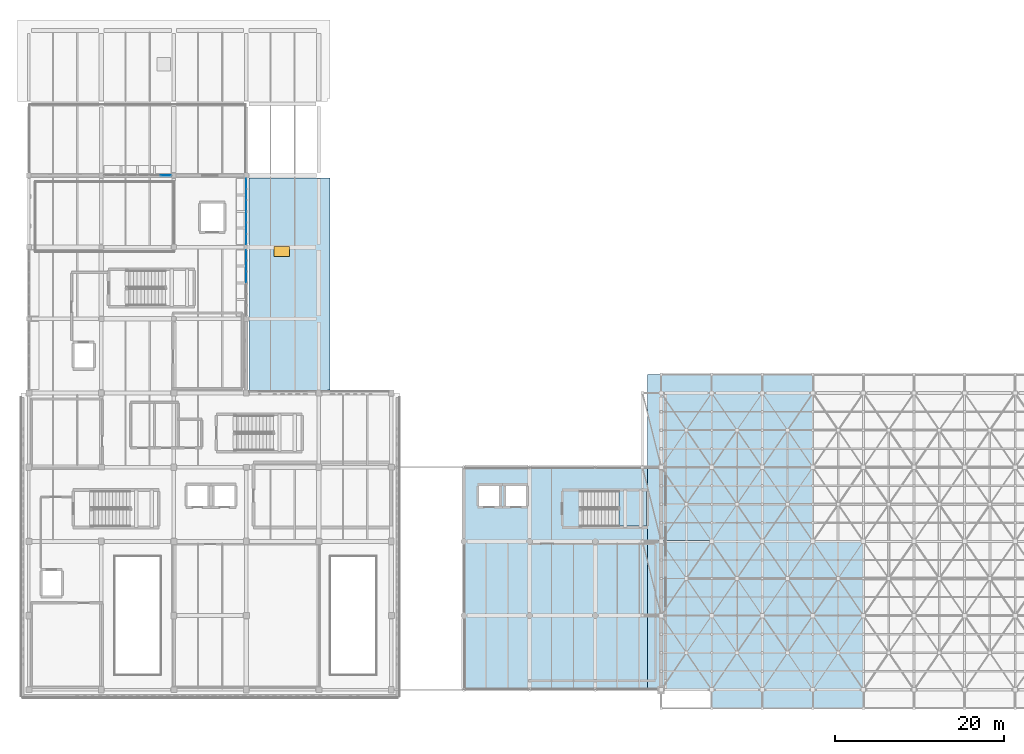
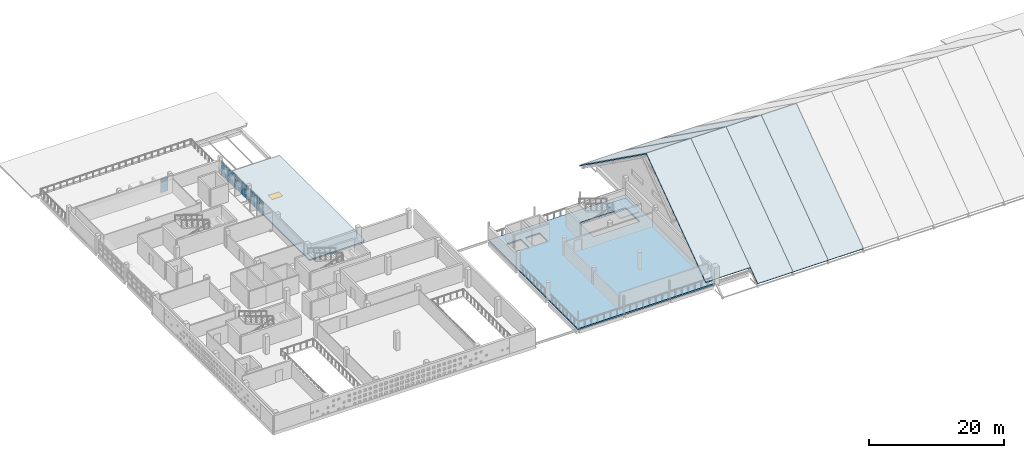
# One storey, part 35 of 55: 30 plates, 10 slabs, 1 window, 1 opening, 5 elements without a shape of their own.
"""IFC4 building model written with IfcOpenShell, lengths in metres."""

from ifc_helpers import new_model, si_unit, direction, frame, origin, origin_2d, place, context, subcontext, project, spatial, polyline, rectangle, outline, extrude, material, layer, layer_set, type_object, element, fill, aggregate, save


model = new_model("IFC4")

# Units and contexts
model_context = context("Model", 3, precision=1e-05, world=origin(), true_north=direction((0.0, 1.0)))
body_context = subcontext(model_context, "Body", "Model", "MODEL_VIEW")
ifc_project = project(units=[si_unit("LENGTHUNIT", "METRE"), si_unit("AREAUNIT", "SQUARE_METRE"), si_unit("VOLUMEUNIT", "CUBIC_METRE"), si_unit("PLANEANGLEUNIT", "RADIAN"), si_unit("MASSUNIT", "GRAM", prefix="KILO")], contexts=[model_context])

# Site, building, storey
site_placement = place(None, origin())
site = spatial("IfcSite", under=ifc_project, at=site_placement, CompositionType="ELEMENT")
building_placement = place(site_placement, origin())
building = spatial("IfcBuilding", under=site, at=building_placement, Name="Varnakota Cinema and Media Centre", CompositionType="ELEMENT")
storey_placement = place(building_placement, frame((0.0, 0.0, 15.60009765625)))
storey = spatial("IfcBuildingStorey", under=building, at=storey_placement, Name="L04", CompositionType="ELEMENT", Elevation=15.60009765625)

# Curtain wall, plates
ifc_material_1 = material(Name="Thermally broken anodised aluminium AW-6063", Category="aluminium")
curtain_wall_type_1 = type_object("IfcCurtainWallType", Name="CW-STD-394x258", PredefinedType="USERDEFINED", material=ifc_material_1)
curtain_wall_1_placement = place(storey_placement, origin())
curtain_wall_1 = element("IfcCurtainWall", 1, at=curtain_wall_1_placement, inside=storey, type_object=curtain_wall_type_1, Name="L04 curtain wall CW-L04-V5-E-02-2", ObjectType="UNITISED CURTAIN WALL", PredefinedType="USERDEFINED")
ifc_material_2 = material(Name="Laminated solar-control double glazing", Category="glass")
ifc_layer_1 = layer(ifc_material_2, 0.028076171875)
ifc_layer_set_1 = layer_set([ifc_layer_1], Name="Laminated solar-control double glazing")
plate_type = type_object("IfcPlateType", Name="CWP-DGU-28", PredefinedType="CURTAIN_PANEL", material=ifc_layer_set_1)
plate_1_placement = place(storey_placement, frame((25.800048828125, 48.955810546875, 0.06494140625), z_axis=(0.0, 0.0, 1.0), x_axis=(0.0, 1.0, 0.0)))
plate_1 = element("IfcPlate", 2, at=plate_1_placement, type_object=plate_type, Name="CW30 panel 1.1", PredefinedType="CURTAIN_PANEL", context=body_context, shape_type="SweptSolid", body=[
    extrude(rectangle(XDim=1.216552734375, YDim=0.028076171875, at=origin_2d()), origin(), (0.0, 0.0, 1.0), 0.98828125),
])
plate_2_placement = place(storey_placement, frame((25.800048828125, 48.955810546875, 1.1181640625), z_axis=(0.0, 0.0, 1.0), x_axis=(0.0, 1.0, 0.0)))
plate_2 = element("IfcPlate", 3, at=plate_2_placement, type_object=plate_type, Name="CW30 panel 1.2", PredefinedType="CURTAIN_PANEL", context=body_context, shape_type="SweptSolid", body=[
    extrude(rectangle(XDim=1.216552734375, YDim=0.028076171875, at=origin_2d()), origin(), (0.0, 0.0, 1.0), 0.865478515625),
])
plate_3_placement = place(storey_placement, frame((25.800048828125, 48.955810546875, 2.048828125), z_axis=(0.0, 0.0, 1.0), x_axis=(0.0, 1.0, 0.0)))
plate_3 = element("IfcPlate", 4, at=plate_3_placement, type_object=plate_type, Name="CW30 panel 1.3", PredefinedType="CURTAIN_PANEL", context=body_context, shape_type="SweptSolid", body=[
    extrude(rectangle(XDim=1.216552734375, YDim=0.028076171875, at=origin_2d()), origin(), (0.0, 0.0, 1.0), 0.47119140625),
])
plate_4_placement = place(storey_placement, frame((25.800048828125, 50.253662109375, 0.06494140625), z_axis=(0.0, 0.0, 1.0), x_axis=(0.0, 1.0, 0.0)))
plate_4 = element("IfcPlate", 5, at=plate_4_placement, type_object=plate_type, Name="CW30 panel 2.1", PredefinedType="CURTAIN_PANEL", context=body_context, shape_type="SweptSolid", body=[
    extrude(rectangle(XDim=1.249267578125, YDim=0.028076171875, at=origin_2d()), origin(), (0.0, 0.0, 1.0), 0.98828125),
])
plate_5_placement = place(storey_placement, frame((25.800048828125, 50.253662109375, 1.1181640625), z_axis=(0.0, 0.0, 1.0), x_axis=(0.0, 1.0, 0.0)))
plate_5 = element("IfcPlate", 6, at=plate_5_placement, type_object=plate_type, Name="CW30 panel 2.2", PredefinedType="CURTAIN_PANEL", context=body_context, shape_type="SweptSolid", body=[
    extrude(rectangle(XDim=1.249267578125, YDim=0.028076171875, at=origin_2d()), origin(), (0.0, 0.0, 1.0), 0.865478515625),
])
plate_6_placement = place(storey_placement, frame((25.800048828125, 50.253662109375, 2.048828125), z_axis=(0.0, 0.0, 1.0), x_axis=(0.0, 1.0, 0.0)))
plate_6 = element("IfcPlate", 7, at=plate_6_placement, type_object=plate_type, Name="CW30 panel 2.3", PredefinedType="CURTAIN_PANEL", context=body_context, shape_type="SweptSolid", body=[
    extrude(rectangle(XDim=1.249267578125, YDim=0.028076171875, at=origin_2d()), origin(), (0.0, 0.0, 1.0), 0.47119140625),
])
plate_7_placement = place(storey_placement, frame((25.800048828125, 51.5517578125, 0.06494140625), z_axis=(0.0, 0.0, 1.0), x_axis=(0.0, 1.0, 0.0)))
plate_7 = element("IfcPlate", 8, at=plate_7_placement, type_object=plate_type, Name="CW30 panel 3.1", PredefinedType="CURTAIN_PANEL", context=body_context, shape_type="SweptSolid", body=[
    extrude(rectangle(XDim=1.216552734375, YDim=0.028076171875, at=origin_2d()), origin(), (0.0, 0.0, 1.0), 0.98828125),
])
plate_8_placement = place(storey_placement, frame((25.800048828125, 51.5517578125, 1.1181640625), z_axis=(0.0, 0.0, 1.0), x_axis=(0.0, 1.0, 0.0)))
plate_8 = element("IfcPlate", 9, at=plate_8_placement, type_object=plate_type, Name="CW30 panel 3.2", PredefinedType="CURTAIN_PANEL", context=body_context, shape_type="SweptSolid", body=[
    extrude(rectangle(XDim=1.216552734375, YDim=0.028076171875, at=origin_2d()), origin(), (0.0, 0.0, 1.0), 0.865478515625),
])
plate_9_placement = place(storey_placement, frame((25.800048828125, 51.5517578125, 2.048828125), z_axis=(0.0, 0.0, 1.0), x_axis=(0.0, 1.0, 0.0)))
plate_9 = element("IfcPlate", 10, at=plate_9_placement, type_object=plate_type, Name="CW30 panel 3.3", PredefinedType="CURTAIN_PANEL", context=body_context, shape_type="SweptSolid", body=[
    extrude(rectangle(XDim=1.216552734375, YDim=0.028076171875, at=origin_2d()), origin(), (0.0, 0.0, 1.0), 0.47119140625),
])
aggregate(curtain_wall_1, [plate_1, plate_2, plate_3, plate_4, plate_5, plate_6, plate_7, plate_8, plate_9])

ifc_material_3 = material(Name="Thermally broken anodised aluminium AW-6063", Category="aluminium")
curtain_wall_type_2 = type_object("IfcCurtainWallType", Name="CW-STD-394x254", PredefinedType="USERDEFINED", material=ifc_material_3)
curtain_wall_2_placement = place(storey_placement, origin())
curtain_wall_2 = element("IfcCurtainWall", 11, at=curtain_wall_2_placement, inside=storey, type_object=curtain_wall_type_2, Name="L04 curtain wall CW-L04-V5-E-03-1", ObjectType="UNITISED CURTAIN WALL", PredefinedType="USERDEFINED")
plate_10_placement = place(storey_placement, frame((25.800048828125, 53.4482421875, 0.06494140625), z_axis=(0.0, 0.0, 1.0), x_axis=(0.0, 1.0, 0.0)))
plate_10 = element("IfcPlate", 12, at=plate_10_placement, type_object=plate_type, Name="CW48 panel 1.1", PredefinedType="CURTAIN_PANEL", context=body_context, shape_type="SweptSolid", body=[
    extrude(rectangle(XDim=1.216552734375, YDim=0.028076171875, at=origin_2d()), origin(), (0.0, 0.0, 1.0), 0.96728515625),
])
plate_11_placement = place(storey_placement, frame((25.800048828125, 53.4482421875, 1.09716796875), z_axis=(0.0, 0.0, 1.0), x_axis=(0.0, 1.0, 0.0)))
plate_11 = element("IfcPlate", 13, at=plate_11_placement, type_object=plate_type, Name="CW48 panel 1.2", PredefinedType="CURTAIN_PANEL", context=body_context, shape_type="SweptSolid", body=[
    extrude(rectangle(XDim=1.216552734375, YDim=0.028076171875, at=origin_2d()), origin(), (0.0, 0.0, 1.0), 0.84765625),
])
plate_12_placement = place(storey_placement, frame((25.800048828125, 53.4482421875, 2.009765625), z_axis=(0.0, 0.0, 1.0), x_axis=(0.0, 1.0, 0.0)))
plate_12 = element("IfcPlate", 14, at=plate_12_placement, type_object=plate_type, Name="CW48 panel 1.3", PredefinedType="CURTAIN_PANEL", context=body_context, shape_type="SweptSolid", body=[
    extrude(rectangle(XDim=1.216552734375, YDim=0.028076171875, at=origin_2d()), origin(), (0.0, 0.0, 1.0), 0.460205078125),
])
plate_13_placement = place(storey_placement, frame((25.800048828125, 54.746337890625, 0.06494140625), z_axis=(0.0, 0.0, 1.0), x_axis=(0.0, 1.0, 0.0)))
plate_13 = element("IfcPlate", 15, at=plate_13_placement, type_object=plate_type, Name="CW48 panel 2.1", PredefinedType="CURTAIN_PANEL", context=body_context, shape_type="SweptSolid", body=[
    extrude(rectangle(XDim=1.249267578125, YDim=0.028076171875, at=origin_2d()), origin(), (0.0, 0.0, 1.0), 0.96728515625),
])
plate_14_placement = place(storey_placement, frame((25.800048828125, 54.746337890625, 1.09716796875), z_axis=(0.0, 0.0, 1.0), x_axis=(0.0, 1.0, 0.0)))
plate_14 = element("IfcPlate", 16, at=plate_14_placement, type_object=plate_type, Name="CW48 panel 2.2", PredefinedType="CURTAIN_PANEL", context=body_context, shape_type="SweptSolid", body=[
    extrude(rectangle(XDim=1.249267578125, YDim=0.028076171875, at=origin_2d()), origin(), (0.0, 0.0, 1.0), 0.84765625),
])
plate_15_placement = place(storey_placement, frame((25.800048828125, 54.746337890625, 2.009765625), z_axis=(0.0, 0.0, 1.0), x_axis=(0.0, 1.0, 0.0)))
plate_15 = element("IfcPlate", 17, at=plate_15_placement, type_object=plate_type, Name="CW48 panel 2.3", PredefinedType="CURTAIN_PANEL", context=body_context, shape_type="SweptSolid", body=[
    extrude(rectangle(XDim=1.249267578125, YDim=0.028076171875, at=origin_2d()), origin(), (0.0, 0.0, 1.0), 0.460205078125),
])
plate_16_placement = place(storey_placement, frame((25.800048828125, 56.044189453125, 0.06494140625), z_axis=(0.0, 0.0, 1.0), x_axis=(0.0, 1.0, 0.0)))
plate_16 = element("IfcPlate", 18, at=plate_16_placement, type_object=plate_type, Name="CW48 panel 3.1", PredefinedType="CURTAIN_PANEL", context=body_context, shape_type="SweptSolid", body=[
    extrude(rectangle(XDim=1.216552734375, YDim=0.028076171875, at=origin_2d()), origin(), (0.0, 0.0, 1.0), 0.96728515625),
])
plate_17_placement = place(storey_placement, frame((25.800048828125, 56.044189453125, 1.09716796875), z_axis=(0.0, 0.0, 1.0), x_axis=(0.0, 1.0, 0.0)))
plate_17 = element("IfcPlate", 19, at=plate_17_placement, type_object=plate_type, Name="CW48 panel 3.2", PredefinedType="CURTAIN_PANEL", context=body_context, shape_type="SweptSolid", body=[
    extrude(rectangle(XDim=1.216552734375, YDim=0.028076171875, at=origin_2d()), origin(), (0.0, 0.0, 1.0), 0.84765625),
])
plate_18_placement = place(storey_placement, frame((25.800048828125, 56.044189453125, 2.009765625), z_axis=(0.0, 0.0, 1.0), x_axis=(0.0, 1.0, 0.0)))
plate_18 = element("IfcPlate", 20, at=plate_18_placement, type_object=plate_type, Name="CW48 panel 3.3", PredefinedType="CURTAIN_PANEL", context=body_context, shape_type="SweptSolid", body=[
    extrude(rectangle(XDim=1.216552734375, YDim=0.028076171875, at=origin_2d()), origin(), (0.0, 0.0, 1.0), 0.460205078125),
])
aggregate(curtain_wall_2, [plate_10, plate_11, plate_12, plate_13, plate_14, plate_15, plate_16, plate_17, plate_18])

curtain_wall_3_placement = place(storey_placement, origin())
curtain_wall_3 = element("IfcCurtainWall", 21, at=curtain_wall_3_placement, inside=storey, type_object=curtain_wall_type_2, Name="L04 curtain wall CW-L04-V5-E-03-2", ObjectType="UNITISED CURTAIN WALL", PredefinedType="USERDEFINED")
plate_19_placement = place(storey_placement, frame((25.800048828125, 57.430908203125, 0.06494140625), z_axis=(0.0, 0.0, 1.0), x_axis=(0.0, 1.0, 0.0)))
plate_19 = element("IfcPlate", 22, at=plate_19_placement, type_object=plate_type, Name="CW48 panel 1.1", PredefinedType="CURTAIN_PANEL", context=body_context, shape_type="SweptSolid", body=[
    extrude(rectangle(XDim=1.216552734375, YDim=0.028076171875, at=origin_2d()), origin(), (0.0, 0.0, 1.0), 0.96728515625),
])
plate_20_placement = place(storey_placement, frame((25.800048828125, 57.430908203125, 1.09716796875), z_axis=(0.0, 0.0, 1.0), x_axis=(0.0, 1.0, 0.0)))
plate_20 = element("IfcPlate", 23, at=plate_20_placement, type_object=plate_type, Name="CW48 panel 1.2", PredefinedType="CURTAIN_PANEL", context=body_context, shape_type="SweptSolid", body=[
    extrude(rectangle(XDim=1.216552734375, YDim=0.028076171875, at=origin_2d()), origin(), (0.0, 0.0, 1.0), 0.84765625),
])
plate_21_placement = place(storey_placement, frame((25.800048828125, 57.430908203125, 2.009765625), z_axis=(0.0, 0.0, 1.0), x_axis=(0.0, 1.0, 0.0)))
plate_21 = element("IfcPlate", 24, at=plate_21_placement, type_object=plate_type, Name="CW48 panel 1.3", PredefinedType="CURTAIN_PANEL", context=body_context, shape_type="SweptSolid", body=[
    extrude(rectangle(XDim=1.216552734375, YDim=0.028076171875, at=origin_2d()), origin(), (0.0, 0.0, 1.0), 0.460205078125),
])
plate_22_placement = place(storey_placement, frame((25.800048828125, 58.728759765625, 0.06494140625), z_axis=(0.0, 0.0, 1.0), x_axis=(0.0, 1.0, 0.0)))
plate_22 = element("IfcPlate", 25, at=plate_22_placement, type_object=plate_type, Name="CW48 panel 2.1", PredefinedType="CURTAIN_PANEL", context=body_context, shape_type="SweptSolid", body=[
    extrude(rectangle(XDim=1.249267578125, YDim=0.028076171875, at=origin_2d()), origin(), (0.0, 0.0, 1.0), 0.96728515625),
])
plate_23_placement = place(storey_placement, frame((25.800048828125, 58.728759765625, 1.09716796875), z_axis=(0.0, 0.0, 1.0), x_axis=(0.0, 1.0, 0.0)))
plate_23 = element("IfcPlate", 26, at=plate_23_placement, type_object=plate_type, Name="CW48 panel 2.2", PredefinedType="CURTAIN_PANEL", context=body_context, shape_type="SweptSolid", body=[
    extrude(rectangle(XDim=1.249267578125, YDim=0.028076171875, at=origin_2d()), origin(), (0.0, 0.0, 1.0), 0.84765625),
])
plate_24_placement = place(storey_placement, frame((25.800048828125, 58.728759765625, 2.009765625), z_axis=(0.0, 0.0, 1.0), x_axis=(0.0, 1.0, 0.0)))
plate_24 = element("IfcPlate", 27, at=plate_24_placement, type_object=plate_type, Name="CW48 panel 2.3", PredefinedType="CURTAIN_PANEL", context=body_context, shape_type="SweptSolid", body=[
    extrude(rectangle(XDim=1.249267578125, YDim=0.028076171875, at=origin_2d()), origin(), (0.0, 0.0, 1.0), 0.460205078125),
])
plate_25_placement = place(storey_placement, frame((25.800048828125, 60.026611328125, 0.06494140625), z_axis=(0.0, 0.0, 1.0), x_axis=(0.0, 1.0, 0.0)))
plate_25 = element("IfcPlate", 28, at=plate_25_placement, type_object=plate_type, Name="CW48 panel 3.1", PredefinedType="CURTAIN_PANEL", context=body_context, shape_type="SweptSolid", body=[
    extrude(rectangle(XDim=1.216552734375, YDim=0.028076171875, at=origin_2d()), origin(), (0.0, 0.0, 1.0), 0.96728515625),
])
plate_26_placement = place(storey_placement, frame((25.800048828125, 60.026611328125, 1.09716796875), z_axis=(0.0, 0.0, 1.0), x_axis=(0.0, 1.0, 0.0)))
plate_26 = element("IfcPlate", 29, at=plate_26_placement, type_object=plate_type, Name="CW48 panel 3.2", PredefinedType="CURTAIN_PANEL", context=body_context, shape_type="SweptSolid", body=[
    extrude(rectangle(XDim=1.216552734375, YDim=0.028076171875, at=origin_2d()), origin(), (0.0, 0.0, 1.0), 0.84765625),
])
plate_27_placement = place(storey_placement, frame((25.800048828125, 60.026611328125, 2.009765625), z_axis=(0.0, 0.0, 1.0), x_axis=(0.0, 1.0, 0.0)))
plate_27 = element("IfcPlate", 30, at=plate_27_placement, type_object=plate_type, Name="CW48 panel 3.3", PredefinedType="CURTAIN_PANEL", context=body_context, shape_type="SweptSolid", body=[
    extrude(rectangle(XDim=1.216552734375, YDim=0.028076171875, at=origin_2d()), origin(), (0.0, 0.0, 1.0), 0.460205078125),
])
aggregate(curtain_wall_3, [plate_19, plate_20, plate_21, plate_22, plate_23, plate_24, plate_25, plate_26, plate_27])

ifc_material_4 = material(Name="Thermally broken anodised aluminium AW-6063", Category="aluminium")
curtain_wall_type_3 = type_object("IfcCurtainWallType", Name="CW-STD-399x258", PredefinedType="USERDEFINED", material=ifc_material_4)
curtain_wall_4_placement = place(storey_placement, origin())
curtain_wall_4 = element("IfcCurtainWall", 31, at=curtain_wall_4_placement, inside=storey, type_object=curtain_wall_type_3, Name="L04 curtain wall CW-L04-V5-N-02-2", ObjectType="UNITISED CURTAIN WALL", PredefinedType="USERDEFINED")
plate_28_placement = place(storey_placement, frame((16.243408203125, 61.0, 0.06494140625), z_axis=(0.0, 0.0, 1.0), x_axis=(1.0, 0.0, 0.0)))
plate_28 = element("IfcPlate", 32, at=plate_28_placement, type_object=plate_type, Name="CW49 panel 3.1", PredefinedType="CURTAIN_PANEL", context=body_context, shape_type="SweptSolid", body=[
    extrude(rectangle(XDim=1.2333984375, YDim=0.028076171875, at=origin_2d()), origin(), (0.0, 0.0, 1.0), 0.98828125),
])
plate_29_placement = place(storey_placement, frame((16.243408203125, 61.0, 1.1181640625), z_axis=(0.0, 0.0, 1.0), x_axis=(1.0, 0.0, 0.0)))
plate_29 = element("IfcPlate", 33, at=plate_29_placement, type_object=plate_type, Name="CW49 panel 3.2", PredefinedType="CURTAIN_PANEL", context=body_context, shape_type="SweptSolid", body=[
    extrude(rectangle(XDim=1.2333984375, YDim=0.028076171875, at=origin_2d()), origin(), (0.0, 0.0, 1.0), 0.865478515625),
])
plate_30_placement = place(storey_placement, frame((16.243408203125, 61.0, 2.048828125), z_axis=(0.0, 0.0, 1.0), x_axis=(1.0, 0.0, 0.0)))
plate_30 = element("IfcPlate", 34, at=plate_30_placement, type_object=plate_type, Name="CW49 panel 3.3", PredefinedType="CURTAIN_PANEL", context=body_context, shape_type="SweptSolid", body=[
    extrude(rectangle(XDim=1.2333984375, YDim=0.028076171875, at=origin_2d()), origin(), (0.0, 0.0, 1.0), 0.47119140625),
])
aggregate(curtain_wall_4, [plate_28, plate_29, plate_30])

# Slab
ifc_material_5 = material(Name="Concrete M35", Category="concrete")
ifc_layer_2 = layer(ifc_material_5, 0.25)
ifc_layer_set_2 = layer_set([ifc_layer_2], Name="Concrete M35")
slab_type_1 = type_object("IfcSlabType", Name="SLB-FLR-250", PredefinedType="FLOOR", material=ifc_layer_set_2)
slab_1_placement = place(storey_placement, frame((0.0, 0.0, -0.25)))
element("IfcSlab", 35, at=slab_1_placement, inside=storey, type_object=slab_type_1, Name="L04 V6 floor slab", PredefinedType="FLOOR", context=body_context, shape_type="SweptSolid", body=[
    extrude(outline(polyline([(51.60009765625, 0.0), (75.0, 0.0), (75.0, 26.39990234375), (51.60009765625, 26.39990234375), (51.60009765625, 0.0)]), holes=[polyline([(65.39990234375, 19.39990234375), (73.280029296875, 19.39990234375), (73.280029296875, 23.550048828125), (65.39990234375, 23.550048828125), (65.39990234375, 19.39990234375)]), polyline([(53.39990234375, 21.800048828125), (55.800048828125, 21.800048828125), (55.800048828125, 24.199951171875), (53.39990234375, 24.199951171875), (53.39990234375, 21.800048828125)]), polyline([(56.60009765625, 21.800048828125), (59.0, 21.800048828125), (59.0, 24.199951171875), (56.60009765625, 24.199951171875), (56.60009765625, 21.800048828125)])]), origin(), (0.0, 0.0, 1.0), 0.25),
])

# Stair, slab
ifc_material_6 = material(Name="Concrete M35", Category="concrete")
stair_type = type_object("IfcStairType", Name="STR-CORE-ST-04-2000", PredefinedType="HALF_TURN_STAIR", material=ifc_material_6)
stair_placement = place(storey_placement, origin())
stair = element("IfcStair", 36, at=stair_placement, inside=storey, type_object=stair_type, Name="L04 Foyer and Terrace Escape Stair 4", PredefinedType="HALF_TURN_STAIR")
ifc_material_7 = material(Name="Concrete M35", Category="concrete")
ifc_layer_3 = layer(ifc_material_7, 0.199951171875)
ifc_layer_set_3 = layer_set([ifc_layer_3], Name="Concrete M35")
slab_type_2 = type_object("IfcSlabType", Name="SLB-LAND-ST-04", PredefinedType="LANDING", material=ifc_layer_set_3)
slab_2_placement = place(storey_placement, frame((0.0, 0.0, 1.52490234375)))
slab_2 = element("IfcSlab", 37, at=slab_2_placement, type_object=slab_type_2, Name="ST-04 landing 1", PredefinedType="LANDING", context=body_context, shape_type="SweptSolid", body=[
    extrude(outline(polyline([(70.02001953125, 19.39990234375), (73.280029296875, 19.39990234375), (73.280029296875, 23.550048828125), (70.02001953125, 23.550048828125), (70.02001953125, 19.39990234375)])), origin(), (0.0, 0.0, 1.0), 0.199951171875),
])
aggregate(stair, [slab_2])

# Slabs
ifc_material_8 = material(Name="Precast concrete M40", Category="concrete")
ifc_layer_4 = layer(ifc_material_8, 0.179931640625)
ifc_layer_set_4 = layer_set([ifc_layer_4], Name="Precast concrete M40")
slab_type_3 = type_object("IfcSlabType", Name="SLB-ROOF-180", PredefinedType="ROOF", material=ifc_layer_set_4)
slab_3_placement = place(storey_placement, frame((73.39990234375, 0.0, 0.72998046875), z_axis=(0.0, -0.582105290546, 0.813113418115), x_axis=(1.0, 0.0, 0.0)))
element("IfcSlab", 38, at=slab_3_placement, inside=storey, type_object=slab_type_3, Name="V1 space-frame S roof deck bay 1", PredefinedType="ROOF", context=body_context, shape_type="SweptSolid", body=[
    extrude(outline(polyline([(0.0, 0.0), (7.60009765625, 0.0), (7.60009765625, 21.6453169559779), (0.0, 21.6453169559779), (0.0, 0.0)])), origin(), (0.0, 0.0, -1.0), 0.179931640625),
])
slab_4_placement = place(storey_placement, frame((73.39990234375, 17.60009765625, 13.329833984375), z_axis=(0.0, 0.582117022421, 0.813105019175), x_axis=(1.0, 0.0, 0.0)))
element("IfcSlab", 39, at=slab_4_placement, inside=storey, type_object=slab_type_3, Name="V1 space-frame N roof deck bay 1", PredefinedType="ROOF", context=body_context, shape_type="SweptSolid", body=[
    extrude(outline(polyline([(0.0, 0.0), (7.60009765625, 0.0), (7.60009765625, 24.35085778659296), (0.0, 24.35085778659296), (0.0, 0.0)])), origin(), (0.0, 0.0, -1.0), 0.179931640625),
])
slab_5_placement = place(storey_placement, frame((81.0, -2.199951171875, -0.84521484375), z_axis=(0.0, -0.582112276941, 0.813108416531), x_axis=(1.0, 0.0, 0.0)))
element("IfcSlab", 40, at=slab_5_placement, inside=storey, type_object=slab_type_3, Name="V1 space-frame S roof deck bay 2", PredefinedType="ROOF", context=body_context, shape_type="SweptSolid", body=[
    extrude(outline(polyline([(0.0, 0.0), (6.0, 0.0), (6.0, 24.351056298975248), (0.0, 24.351056298975248), (0.0, 0.0)])), origin(), (0.0, 0.0, -1.0), 0.179931640625),
])
slab_6_placement = place(storey_placement, frame((81.0, 17.60009765625, 13.329833984375), z_axis=(0.0, 0.582117022421, 0.813105019175), x_axis=(1.0, 0.0, 0.0)))
element("IfcSlab", 41, at=slab_6_placement, inside=storey, type_object=slab_type_3, Name="V1 space-frame N roof deck bay 2", PredefinedType="ROOF", context=body_context, shape_type="SweptSolid", body=[
    extrude(outline(polyline([(0.0, 0.0), (6.0, 0.0), (6.0, 24.35085778659296), (0.0, 24.35085778659296), (0.0, 0.0)])), origin(), (0.0, 0.0, -1.0), 0.179931640625),
])
slab_7_placement = place(storey_placement, frame((87.0, -2.199951171875, -0.84521484375), z_axis=(0.0, -0.582112276941, 0.813108416531), x_axis=(1.0, 0.0, 0.0)))
element("IfcSlab", 42, at=slab_7_placement, inside=storey, type_object=slab_type_3, Name="V1 space-frame S roof deck bay 3", PredefinedType="ROOF", context=body_context, shape_type="SweptSolid", body=[
    extrude(outline(polyline([(0.0, 0.0), (6.0, 0.0), (6.0, 24.351056298975248), (0.0, 24.351056298975248), (0.0, 0.0)])), origin(), (0.0, 0.0, -1.0), 0.179931640625),
])
slab_8_placement = place(storey_placement, frame((87.0, 17.60009765625, 13.329833984375), z_axis=(0.0, 0.582117022421, 0.813105019175), x_axis=(1.0, 0.0, 0.0)))
element("IfcSlab", 43, at=slab_8_placement, inside=storey, type_object=slab_type_3, Name="V1 space-frame N roof deck bay 3", PredefinedType="ROOF", context=body_context, shape_type="SweptSolid", body=[
    extrude(outline(polyline([(0.0, 0.0), (6.0, 0.0), (6.0, 24.35085778659296), (0.0, 24.35085778659296), (0.0, 0.0)])), origin(), (0.0, 0.0, -1.0), 0.179931640625),
])
slab_9_placement = place(storey_placement, frame((93.0, -2.199951171875, -0.84521484375), z_axis=(0.0, -0.582112276941, 0.813108416531), x_axis=(1.0, 0.0, 0.0)))
element("IfcSlab", 44, at=slab_9_placement, inside=storey, type_object=slab_type_3, Name="V1 space-frame S roof deck bay 4", PredefinedType="ROOF", context=body_context, shape_type="SweptSolid", body=[
    extrude(outline(polyline([(0.0, 0.0), (6.0, 0.0), (6.0, 24.351056298975248), (0.0, 24.351056298975248), (0.0, 0.0)])), origin(), (0.0, 0.0, -1.0), 0.179931640625),
])

# Slab, opening, window
ifc_material_9 = material(Name="Concrete M35", Category="concrete")
ifc_layer_5 = layer(ifc_material_9, 0.25)
ifc_layer_set_5 = layer_set([ifc_layer_5], Name="Concrete M35")
slab_type_4 = type_object("IfcSlabType", Name="SLB-ROOF-250", PredefinedType="ROOF", material=ifc_layer_set_5)
slab_10_placement = place(storey_placement, frame((0.0, 0.0, -0.25)))
slab_10 = element("IfcSlab", 45, at=slab_10_placement, inside=storey, type_object=slab_type_4, Name="L04 overhanging cool roof ROOF-V5-STAGE-E", PredefinedType="ROOF", context=body_context, shape_type="SweptSolid", body=[
    extrude(outline(polyline([(26.10009765625, 35.219970703125), (35.39990234375, 35.219970703125), (35.39990234375, 35.570068359375), (35.75, 35.570068359375), (35.75, 60.699951171875), (26.10009765625, 60.699951171875), (26.10009765625, 35.219970703125)])), origin(), (0.0, 0.0, 1.0), 0.25),
])
opening_placement = place(slab_10_placement, frame((30.0, 52.0, 0.0)))
opening = element("IfcOpeningElement", 46, at=opening_placement, cuts=slab_10, Name="Opening SK3", PredefinedType="OPENING", context=body_context, shape_type="SweptSolid", body=[
    extrude(rectangle(XDim=1.800048828125, YDim=1.199951171875, at=origin_2d()), origin(), (0.0, 0.0, 1.0), 0.25),
])
ifc_material_10 = material(Name="Laminated solar-control double glazing", Category="glass")
window_type = type_object("IfcWindowType", Name="SKY-HATCH-3", PartitioningType="SINGLE_PANEL", PredefinedType="SKYLIGHT", material=ifc_material_10)
window_placement = place(opening_placement, frame((0.0, 0.0, 0.199951171875)))
window = element("IfcWindow", 47, at=window_placement, inside=storey, type_object=window_type, Name="L04 acoustic smoke-vent skylight SKY-L04-2", OverallHeight=1.199951171875, OverallWidth=1.800048828125, PartitioningType="SINGLE_PANEL", PredefinedType="SKYLIGHT", context=body_context, shape_type="SweptSolid", body=[
    extrude(rectangle(XDim=1.800048828125, YDim=1.199951171875, at=origin_2d()), origin(), (0.0, 0.0, 1.0), 0.050048828125),
])
fill(opening, window)

save(model, "model.ifc")
